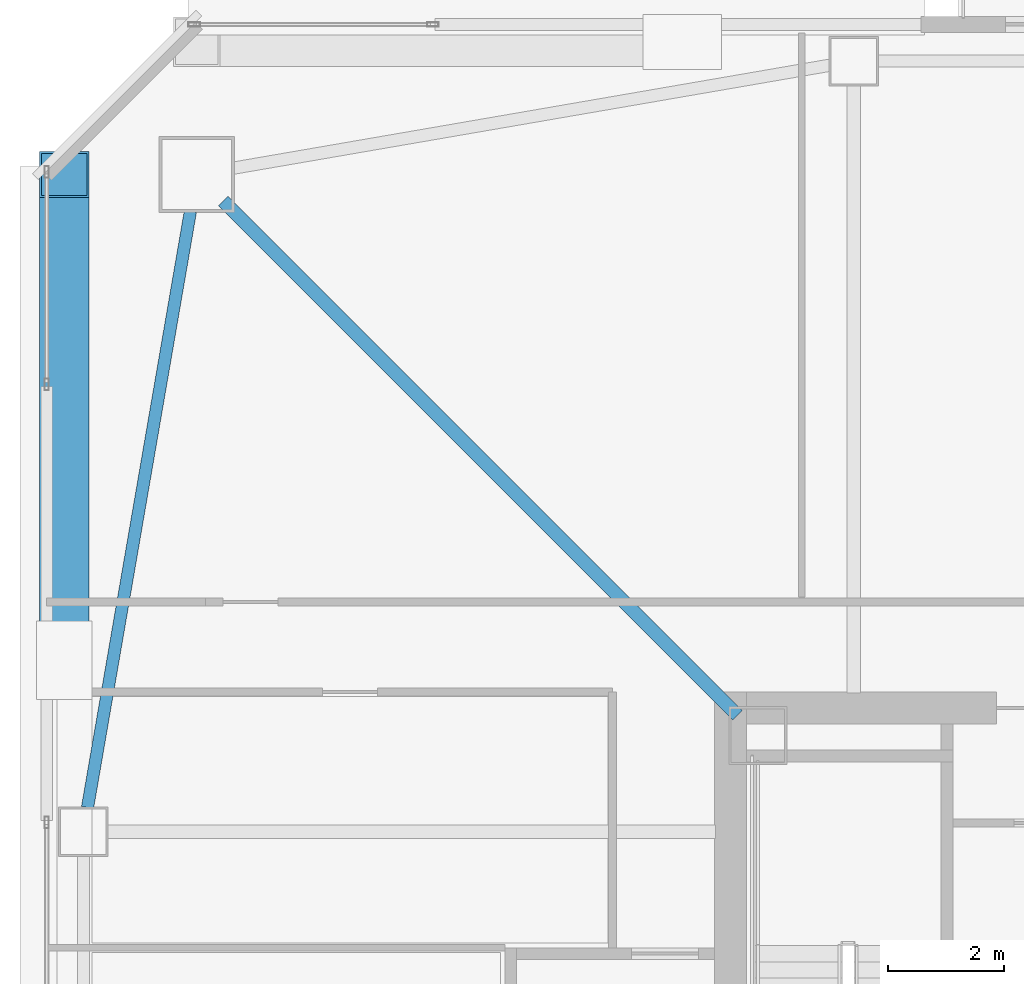
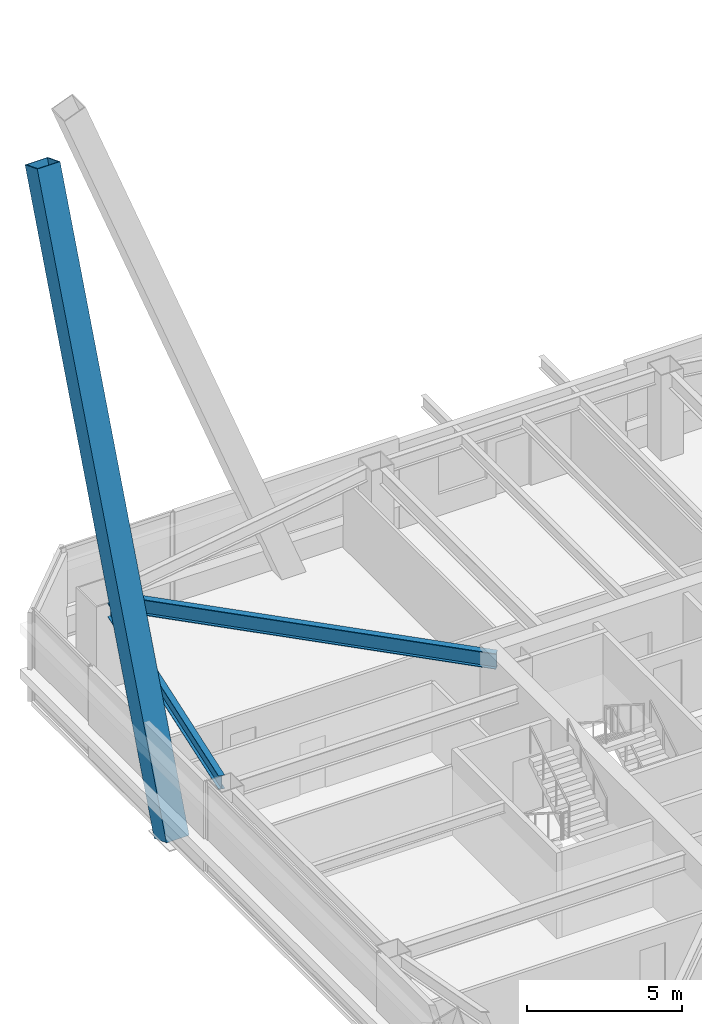
# One storey, part 16 of 54: 2 beams, 1 member.
"""IFC4 building model written with IfcOpenShell, lengths in metres."""

from ifc_helpers import new_model, si_unit, direction, frame, origin, origin_2d, place, context, subcontext, project, spatial, hollow_rectangle, i_section, extrude, material, material_profile, profile_set, type_object, element, save


model = new_model("IFC4")

# Units and contexts
model_context = context("Model", 3, precision=1e-05, world=origin(), true_north=direction((0.0, 1.0)))
body_context = subcontext(model_context, "Body", "Model", "MODEL_VIEW")
ifc_project = project(units=[si_unit("LENGTHUNIT", "METRE"), si_unit("AREAUNIT", "SQUARE_METRE"), si_unit("VOLUMEUNIT", "CUBIC_METRE"), si_unit("PLANEANGLEUNIT", "RADIAN"), si_unit("MASSUNIT", "GRAM", prefix="KILO")], contexts=[model_context])

# Site, building, storey
site_placement = place(None, origin())
site = spatial("IfcSite", under=ifc_project, at=site_placement, CompositionType="ELEMENT")
building_placement = place(site_placement, origin())
building = spatial("IfcBuilding", under=site, at=building_placement, Name="Tashvorn Skyway Center", CompositionType="ELEMENT")
storey_placement = place(building_placement, frame((0.0, 0.0, 135.699951171875)))
storey = spatial("IfcBuildingStorey", under=building, at=storey_placement, Name="L36", CompositionType="ELEMENT", Elevation=135.699951171875)

# Beams
ifc_material_1 = material(Name="Steel ASTM A992 Grade 50", Category="steel")
ifc_material_profile_1 = material_profile(ifc_material_1, i_section(OverallWidth=0.22998046875, OverallDepth=0.616943359375, WebThickness=0.01318359375, FlangeThickness=0.022216796875, at=origin_2d()), Name="W24X94")
ifc_profile_set_1 = profile_set([ifc_material_profile_1], Name="Steel ASTM A992 Grade 50")
beam_type_1 = type_object("IfcBeamType", Name="BM-BEAM-W24X94", PredefinedType="BEAM", material=ifc_profile_set_1)
beam_1_placement = place(storey_placement, frame((25.756103515625, 48.243896484375, 3.0615234375), z_axis=(0.707106781187, -0.707106781187, 0.0), x_axis=(0.707106781187, 0.707106781187, 0.0)))
element("IfcBeam", 1, at=beam_1_placement, inside=storey, type_object=beam_type_1, Name="Tower 1 L36 Primary Floor Girder MC-NW", PredefinedType="BEAM", context=body_context, shape_type="SweptSolid", body=[
    extrude(i_section(OverallWidth=0.22998046875, OverallDepth=0.616943359375, WebThickness=0.01318359375, FlangeThickness=0.022216796875, at=origin_2d()), origin(), (0.0, 0.0, 1.0), 12.50732421875),
])
ifc_material_profile_2 = material_profile(ifc_material_1, i_section(OverallWidth=0.2109375, OverallDepth=0.5390625, WebThickness=0.01171875, FlangeThickness=0.018798828125, at=origin_2d()), Name="W21X73")
ifc_profile_set_2 = profile_set([ifc_material_profile_2], Name="Steel ASTM A992 Grade 50")
beam_type_2 = type_object("IfcBeamType", Name="BM-SPANDREL-W21X73", PredefinedType="SPANDREL", material=ifc_profile_set_2)
beam_2_placement = place(storey_placement, frame((25.1904296875, 48.064453125, 3.1005859375), z_axis=(-0.170067250846, -0.985432458462, 0.0), x_axis=(0.985432458462, -0.170067250846, 0.0)))
element("IfcBeam", 2, at=beam_2_placement, inside=storey, type_object=beam_type_2, Name="Tower 1 L36 Spandrel Beam 10", PredefinedType="SPANDREL", context=body_context, shape_type="SweptSolid", body=[
    extrude(i_section(OverallWidth=0.2109375, OverallDepth=0.5390625, WebThickness=0.01171875, FlangeThickness=0.018798828125, at=origin_2d()), origin(), (0.0, 0.0, 1.0), 10.402099609375),
])

# Member
ifc_material_2 = material(Name="Steel ASTM A572 Grade 50", Category="steel")
ifc_material_profile_3 = material_profile(ifc_material_2, hollow_rectangle(XDim=0.85009765625, YDim=0.85009765625, WallThickness=0.034912109375, at=origin_2d()), Name="BOX850x850x35")
ifc_profile_set_3 = profile_set([ifc_material_profile_3], Name="Steel ASTM A572 Grade 50")
member_type = type_object("IfcMemberType", Name="MEM-MB-850", PredefinedType="BRACE", material=ifc_profile_set_3)
member_placement = place(storey_placement, frame((23.02001953125, 40.35009765625, -0.449951171875), z_axis=(0.0, 0.361729555394, 0.932283073296), x_axis=(-1.0, 0.0, 0.0)))
element("IfcMember", 3, at=member_placement, inside=storey, type_object=member_type, Name="Tower 1 Zone 3 W Chevron Mega-Brace L2", PredefinedType="BRACE", context=body_context, shape_type="SweptSolid", body=[
    extrude(hollow_rectangle(XDim=0.85009765625, YDim=0.85009765625, WallThickness=0.034912109375, at=origin_2d()), origin(), (0.0, 0.0, 1.0), 23.083251953125),
])

save(model, "model.ifc")
